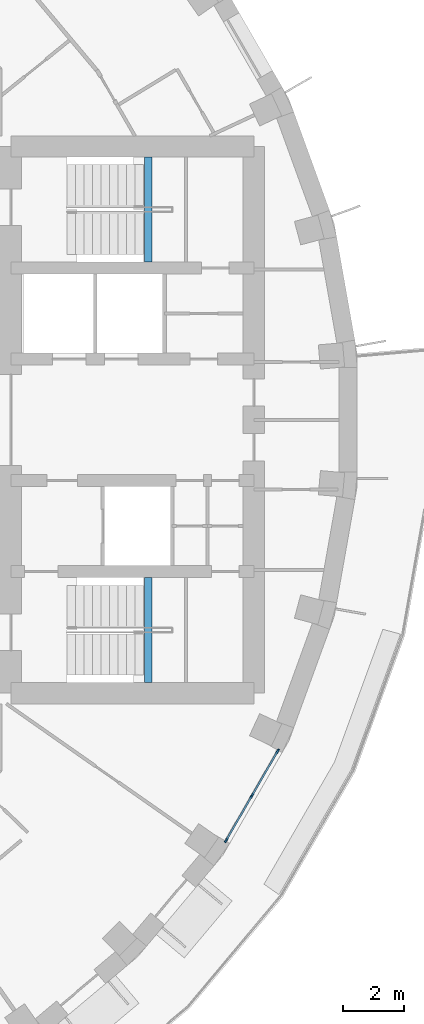
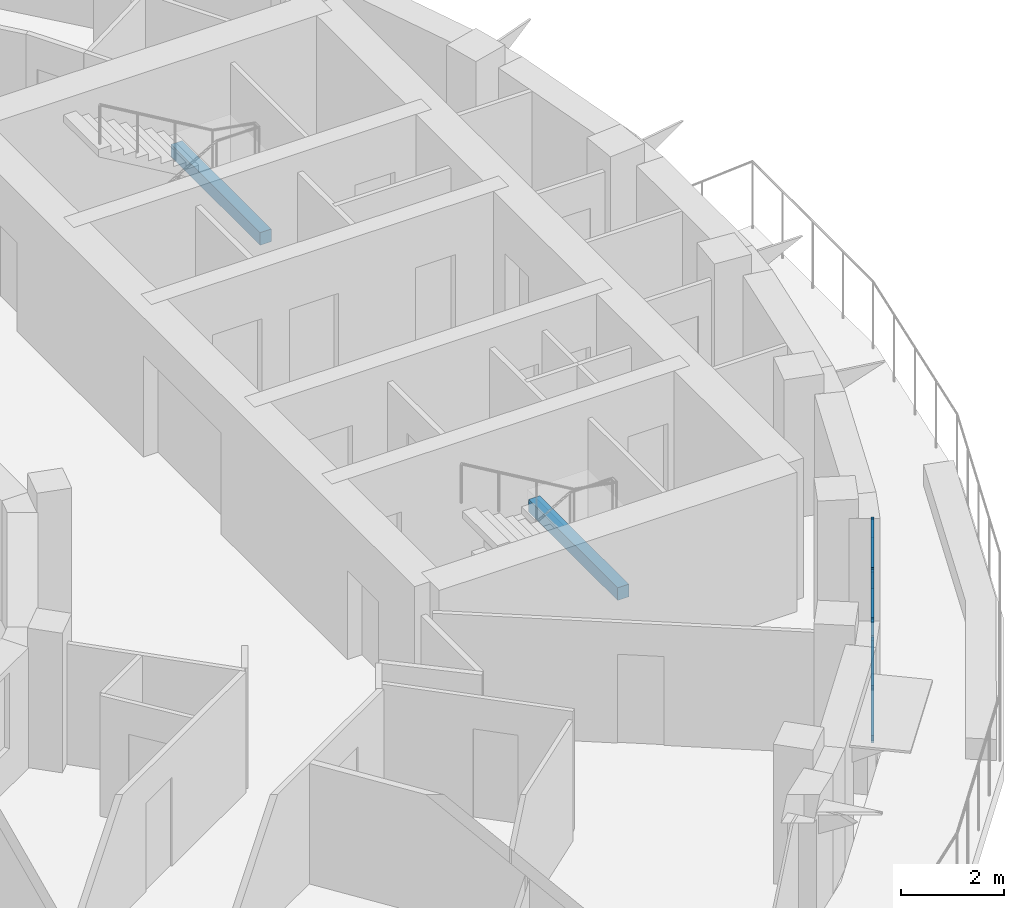
# One storey, part 2 of 14: 9 members, 2 beams, 1 element without a shape of its own.
"""IFC4 building model written with IfcOpenShell, lengths in metres."""

from ifc_helpers import new_model, si_unit, direction, frame, origin, origin_2d, place, context, subcontext, project, spatial, rectangle, extrude, material, layer, layer_set, material_profile, profile_set, type_object, element, aggregate, save


model = new_model("IFC4")

# Units and contexts
model_context = context("Model", 3, precision=1e-05, world=origin(), true_north=direction((0.0, 1.0)))
body_context = subcontext(model_context, "Body", "Model", "MODEL_VIEW")
ifc_project = project(units=[si_unit("LENGTHUNIT", "METRE"), si_unit("AREAUNIT", "SQUARE_METRE"), si_unit("VOLUMEUNIT", "CUBIC_METRE"), si_unit("PLANEANGLEUNIT", "RADIAN"), si_unit("MASSUNIT", "GRAM", prefix="KILO")], contexts=[model_context])

# Site, building, storey
site_placement = place(None, origin())
site = spatial("IfcSite", under=ifc_project, at=site_placement, CompositionType="ELEMENT")
building_placement = place(site_placement, origin())
building = spatial("IfcBuilding", under=site, at=building_placement, Name="Saqina Gate Tower", CompositionType="ELEMENT")
storey_placement = place(building_placement, frame((0.0, 0.0, 177.300048828125)))
storey = spatial("IfcBuildingStorey", under=building, at=storey_placement, Name="L50", CompositionType="ELEMENT", Elevation=177.300048828125)

# Curtain wall, members
ifc_material_1 = material(Name="Aluminium glazing", Category="aluminium")
ifc_layer = layer(ifc_material_1, 0.159912109375)
ifc_layer_set = layer_set([ifc_layer], Name="CWT-4")
curtain_wall_type = type_object("IfcCurtainWallType", Name="CWT-4", PredefinedType="NOTDEFINED", material=ifc_layer_set)
curtain_wall_placement = place(storey_placement, origin())
curtain_wall = element("IfcCurtainWall", 1, at=curtain_wall_placement, inside=storey, type_object=curtain_wall_type, Name="Terrace lounge glazing facet 33", PredefinedType="NOTDEFINED")
ifc_material_2 = material(Name="Aluminium", Category="aluminium")
ifc_material_profile_1 = material_profile(ifc_material_2, rectangle(XDim=0.06005859375, YDim=0.159912109375, at=origin_2d()), Name="Aluminium 60x160")
ifc_profile_set_1 = profile_set([ifc_material_profile_1], Name="Aluminium")
member_type_1 = type_object("IfcMemberType", Name="CWT-4M", PredefinedType="MULLION", material=ifc_profile_set_1)
member_1_placement = place(storey_placement, frame((20.5908203125, -13.84521484375, 0.0), z_axis=(0.0, 0.0, 1.0), x_axis=(-0.866017110341, 0.500014364391, 0.0)))
member_1 = element("IfcMember", 2, at=member_1_placement, type_object=member_type_1, Name="CW4-33 mullion 1", PredefinedType="MULLION", context=body_context, shape_type="SweptSolid", body=[
    extrude(rectangle(XDim=0.06005859375, YDim=0.159912109375, at=origin_2d()), origin(), (0.0, 0.0, 1.0), 2.849853515625),
])
member_2_placement = place(storey_placement, frame((21.438232421875, -12.37744140625, 0.0), z_axis=(0.0, 0.0, 1.0), x_axis=(-0.866017110341, 0.500014364391, 0.0)))
member_2 = element("IfcMember", 3, at=member_2_placement, type_object=member_type_1, Name="CW4-33 mullion 2", PredefinedType="MULLION", context=body_context, shape_type="SweptSolid", body=[
    extrude(rectangle(XDim=0.06005859375, YDim=0.159912109375, at=origin_2d()), origin(), (0.0, 0.0, 1.0), 2.849853515625),
])
member_3_placement = place(storey_placement, frame((22.285888671875, -10.90966796875, 0.0), z_axis=(0.0, 0.0, 1.0), x_axis=(-0.866017110341, 0.500014364391, 0.0)))
member_3 = element("IfcMember", 4, at=member_3_placement, type_object=member_type_1, Name="CW4-33 mullion 3", PredefinedType="MULLION", context=body_context, shape_type="SweptSolid", body=[
    extrude(rectangle(XDim=0.06005859375, YDim=0.159912109375, at=origin_2d()), origin(), (0.0, 0.0, 1.0), 2.849853515625),
])
ifc_material_3 = material(Name="Aluminium", Category="aluminium")
ifc_material_profile_2 = material_profile(ifc_material_3, rectangle(XDim=0.06005859375, YDim=0.1201171875, at=origin_2d()), Name="Aluminium 60x120")
ifc_profile_set_2 = profile_set([ifc_material_profile_2], Name="Aluminium")
member_type_2 = type_object("IfcMemberType", Name="CWT-4T", PredefinedType="USERDEFINED", material=ifc_profile_set_2)
member_4_placement = place(storey_placement, frame((20.60595703125, -13.8193359375, 0.030029296875), z_axis=(0.499929268946, 0.866066236526, 0.0), x_axis=(-0.866066236526, 0.499929268946, 0.0)))
member_4 = element("IfcMember", 5, at=member_4_placement, type_object=member_type_2, Name="CW4-33 transom 1.1", ObjectType="TRANSOM", PredefinedType="USERDEFINED", context=body_context, shape_type="SweptSolid", body=[
    extrude(rectangle(XDim=0.06005859375, YDim=0.1201171875, at=origin_2d()), origin(), (0.0, 0.0, 1.0), 1.635009765625),
])
member_5_placement = place(storey_placement, frame((20.60595703125, -13.8193359375, 2.39990234375), z_axis=(0.499929268946, 0.866066236526, 0.0), x_axis=(-0.866066236526, 0.499929268946, 0.0)))
member_5 = element("IfcMember", 6, at=member_5_placement, type_object=member_type_2, Name="CW4-33 transom 1.2", ObjectType="TRANSOM", PredefinedType="USERDEFINED", context=body_context, shape_type="SweptSolid", body=[
    extrude(rectangle(XDim=0.06005859375, YDim=0.1201171875, at=origin_2d()), origin(), (0.0, 0.0, 1.0), 1.635009765625),
])
member_6_placement = place(storey_placement, frame((20.60595703125, -13.8193359375, 2.820068359375), z_axis=(0.499929268946, 0.866066236526, 0.0), x_axis=(-0.866066236526, 0.499929268946, 0.0)))
member_6 = element("IfcMember", 7, at=member_6_placement, type_object=member_type_2, Name="CW4-33 transom 1.3", ObjectType="TRANSOM", PredefinedType="USERDEFINED", context=body_context, shape_type="SweptSolid", body=[
    extrude(rectangle(XDim=0.06005859375, YDim=0.1201171875, at=origin_2d()), origin(), (0.0, 0.0, 1.0), 1.635009765625),
])
member_7_placement = place(storey_placement, frame((21.453369140625, -12.3515625, 0.030029296875), z_axis=(0.499929268946, 0.866066236526, 0.0), x_axis=(-0.866066236526, 0.499929268946, 0.0)))
member_7 = element("IfcMember", 8, at=member_7_placement, type_object=member_type_2, Name="CW4-33 transom 2.1", ObjectType="TRANSOM", PredefinedType="USERDEFINED", context=body_context, shape_type="SweptSolid", body=[
    extrude(rectangle(XDim=0.06005859375, YDim=0.1201171875, at=origin_2d()), origin(), (0.0, 0.0, 1.0), 1.635009765625),
])
member_8_placement = place(storey_placement, frame((21.453369140625, -12.3515625, 2.39990234375), z_axis=(0.499929268946, 0.866066236526, 0.0), x_axis=(-0.866066236526, 0.499929268946, 0.0)))
member_8 = element("IfcMember", 9, at=member_8_placement, type_object=member_type_2, Name="CW4-33 transom 2.2", ObjectType="TRANSOM", PredefinedType="USERDEFINED", context=body_context, shape_type="SweptSolid", body=[
    extrude(rectangle(XDim=0.06005859375, YDim=0.1201171875, at=origin_2d()), origin(), (0.0, 0.0, 1.0), 1.635009765625),
])
member_9_placement = place(storey_placement, frame((21.453369140625, -12.3515625, 2.820068359375), z_axis=(0.499929268946, 0.866066236526, 0.0), x_axis=(-0.866066236526, 0.499929268946, 0.0)))
member_9 = element("IfcMember", 10, at=member_9_placement, type_object=member_type_2, Name="CW4-33 transom 2.3", ObjectType="TRANSOM", PredefinedType="USERDEFINED", context=body_context, shape_type="SweptSolid", body=[
    extrude(rectangle(XDim=0.06005859375, YDim=0.1201171875, at=origin_2d()), origin(), (0.0, 0.0, 1.0), 1.635009765625),
])
aggregate(curtain_wall, [member_1, member_2, member_3, member_4, member_5, member_6, member_7, member_8, member_9])

# Beams
ifc_material_4 = material(Name="Concrete C40/50", Category="concrete")
ifc_material_profile_3 = material_profile(ifc_material_4, rectangle(XDim=0.25, YDim=0.300048828125, at=origin_2d()), Name="STAIR LANDING BEAM")
ifc_profile_set_3 = profile_set([ifc_material_profile_3], Name="Concrete C40/50")
beam_type = type_object("IfcBeamType", Name="STAIR LANDING BEAM", PredefinedType="BEAM", material=ifc_profile_set_3)
for number, where, z_axis, x_axis, name in (
    (11, (18.02001953125, 5.199951171875, 1.25), (0.0, 1.0, 0.0), (-1.0, 0.0, 0.0), "EXIT STAIR 1 LANDING BEAM"),
    (12, (18.02001953125, -8.64990234375, 1.25), (0.0, 1.0, 0.0), (-1.0, 0.0, 0.0), "EXIT STAIR 2 LANDING BEAM"),
):
    element("IfcBeam", number, at=place(storey_placement, frame(where, z_axis=z_axis, x_axis=x_axis)), inside=storey, type_object=beam_type, Name=name, PredefinedType="BEAM", context=body_context, shape_type="SweptSolid", body=[
        extrude(rectangle(XDim=0.25, YDim=0.300048828125, at=origin_2d()), origin(), (0.0, 0.0, 1.0), 3.449951171875),
    ])

save(model, "model.ifc")
